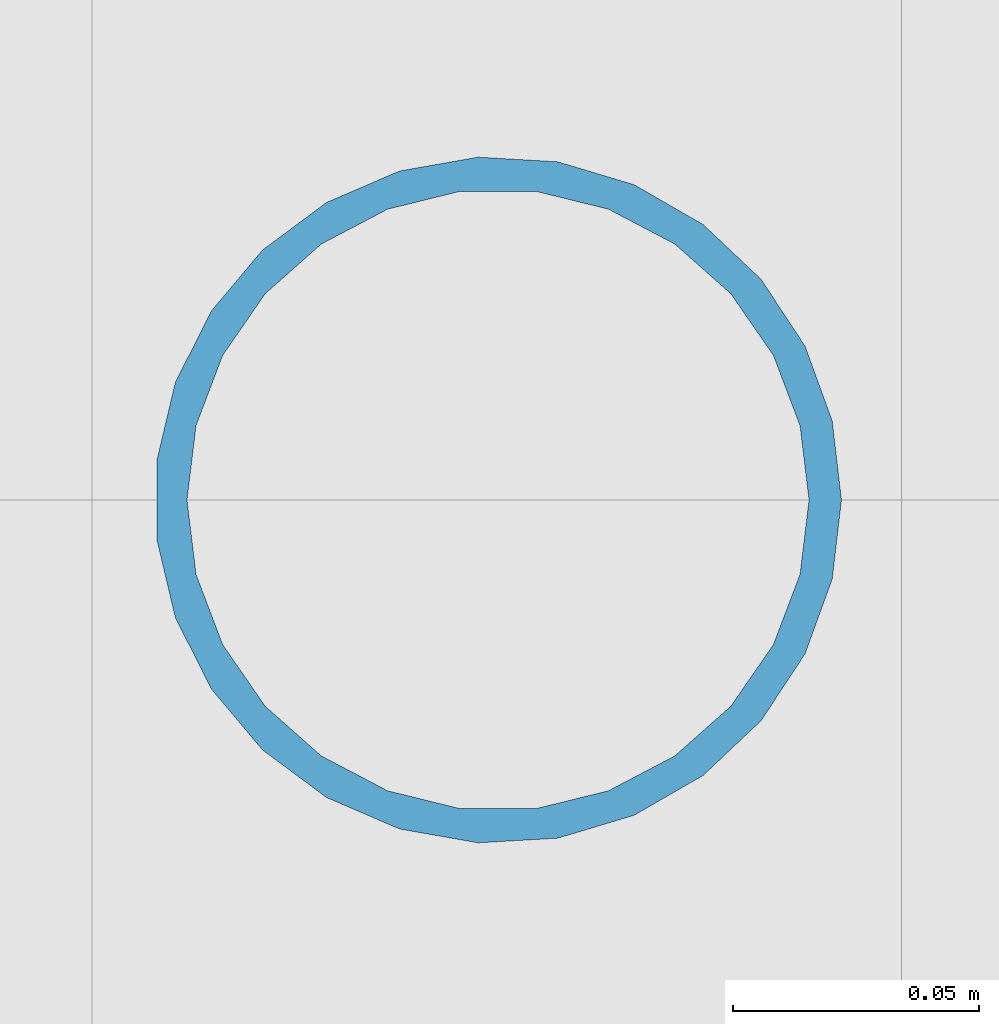
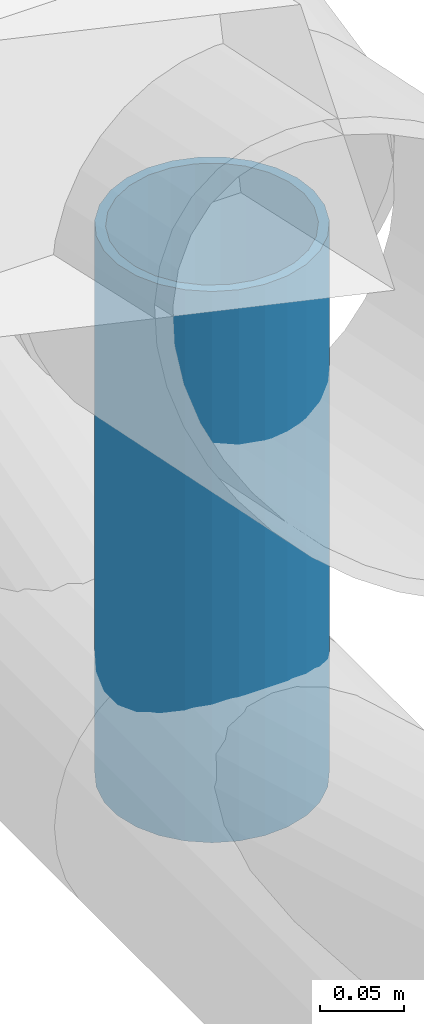
# One storey, part 147 of 194: 1 member.
"""IFC4 building model written with IfcOpenShell, lengths in metres."""

from ifc_helpers import new_model, si_unit, direction, frame, origin, origin_2d, place, context, subcontext, project, spatial, hollow_circle, extrude, material, material_profile, profile_set, type_object, element, save


model = new_model("IFC4")

# Units and contexts
model_context = context("Model", 3, precision=1e-05, world=origin(), true_north=direction((0.0, 1.0)))
body_context = subcontext(model_context, "Body", "Model", "MODEL_VIEW")
ifc_project = project(units=[si_unit("LENGTHUNIT", "METRE"), si_unit("AREAUNIT", "SQUARE_METRE"), si_unit("VOLUMEUNIT", "CUBIC_METRE"), si_unit("PLANEANGLEUNIT", "RADIAN"), si_unit("MASSUNIT", "GRAM", prefix="KILO")], contexts=[model_context])

# Site, building, storey
site_placement = place(None, origin())
site = spatial("IfcSite", under=ifc_project, at=site_placement, CompositionType="ELEMENT")
building_placement = place(site_placement, origin())
building = spatial("IfcBuilding", under=site, at=building_placement, Name="Kazenagashi Tramway Depot", CompositionType="ELEMENT")
storey_placement = place(building_placement, frame((0.0, 0.0, 23.7)))
storey = spatial("IfcBuildingStorey", under=building, at=storey_placement, Name="ROOF", CompositionType="ELEMENT", Elevation=23.7)

# Member
ifc_material = material(Name="Steel STK490", Category="steel")
ifc_material_profile = material_profile(ifc_material, hollow_circle(Radius=0.0699, WallThickness=0.0066, at=origin_2d()), Name="CHS-139.8x6.6")
ifc_profile_set = profile_set([ifc_material_profile], Name="Steel STK490")
member_type = type_object("IfcMemberType", Name="TS-02", PredefinedType="STRUT", material=ifc_profile_set)
member_placement = place(storey_placement, frame((196.0, 100.0, -14.1), z_axis=(0.0, 0.0, 1.0), x_axis=(1.0, 0.0, 0.0)))
element("IfcMember", 1, at=member_placement, inside=storey, type_object=member_type, Name="Tubular Space Frame TS-02 MEM-1123", PredefinedType="STRUT", context=body_context, shape_type="SweptSolid", body=[
    extrude(hollow_circle(Radius=0.0699, WallThickness=0.0066, at=origin_2d()), origin(), (0.0, 0.0, 1.0), 0.4),
])

save(model, "model.ifc")
